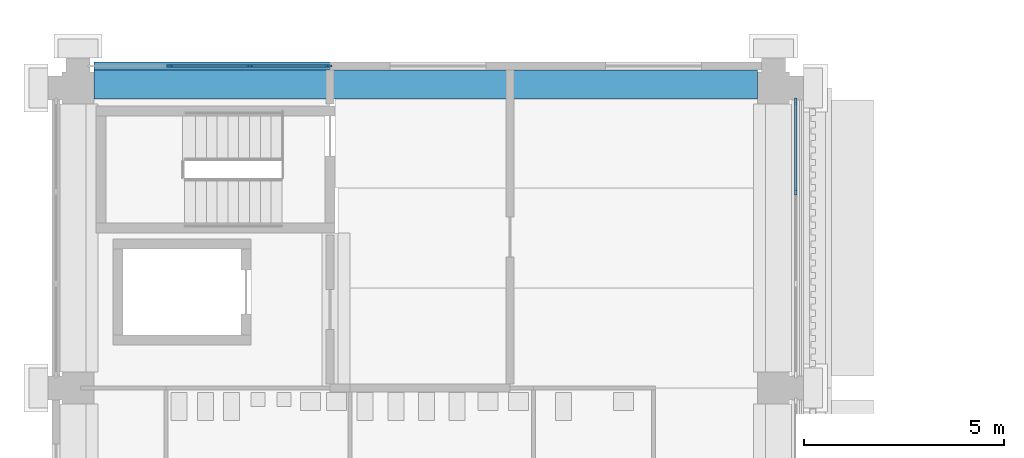
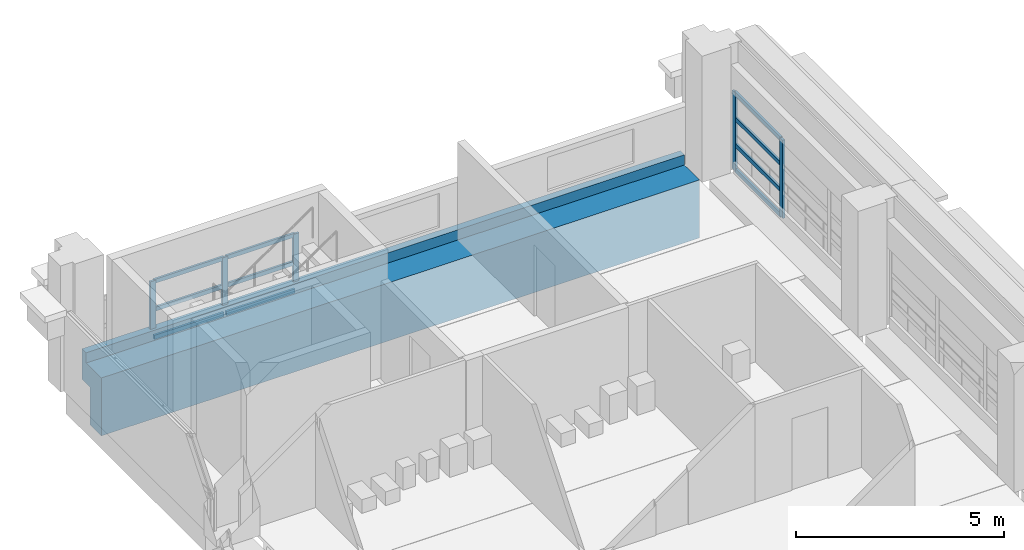
# One storey, part 13 of 71: 15 members, 1 beam, 2 elements without a shape of their own.
"""IFC4 building model written with IfcOpenShell, lengths in metres."""

from ifc_helpers import new_model, si_unit, direction, frame, origin, origin_2d, place, context, subcontext, project, spatial, polyline, rectangle, outline, extrude, material, layer, layer_set, material_profile, profile_set, type_object, element, aggregate, save


model = new_model("IFC4")

# Units and contexts
model_context = context("Model", 3, precision=1e-05, world=origin(), true_north=direction((0.0, 1.0)))
body_context = subcontext(model_context, "Body", "Model", "MODEL_VIEW")
ifc_project = project(units=[si_unit("LENGTHUNIT", "METRE"), si_unit("AREAUNIT", "SQUARE_METRE"), si_unit("VOLUMEUNIT", "CUBIC_METRE"), si_unit("PLANEANGLEUNIT", "RADIAN"), si_unit("MASSUNIT", "GRAM", prefix="KILO")], contexts=[model_context])

# Site, building, storey
site_placement = place(None, origin())
site = spatial("IfcSite", under=ifc_project, at=site_placement, CompositionType="ELEMENT")
building_placement = place(site_placement, origin())
building = spatial("IfcBuilding", under=site, at=building_placement, Name="Cour d'Honneur Mobility Palace", CompositionType="ELEMENT")
storey_placement = place(building_placement, frame((0.0, 0.0, 15.60009765625)))
storey = spatial("IfcBuildingStorey", under=building, at=storey_placement, Name="L04", CompositionType="ELEMENT", Elevation=15.60009765625)

# Curtain wall, members
ifc_material_1 = material(Name="Aluminium and glass", Category="aluminium")
ifc_layer = layer(ifc_material_1, 0.10009765625)
ifc_layer_set = layer_set([ifc_layer], Name="Aluminium and glass")
curtain_wall_type = type_object("IfcCurtainWallType", Name="Curtain wall run", PredefinedType="NOTDEFINED", material=ifc_layer_set)
curtain_wall_1_placement = place(storey_placement, origin())
curtain_wall_1 = element("IfcCurtainWall", 1, at=curtain_wall_1_placement, inside=storey, type_object=curtain_wall_type, Name="Curtain wall CW-43", PredefinedType="NOTDEFINED")
ifc_material_2 = material(Name="Aluminium", Category="aluminium")
ifc_material_profile_1 = material_profile(ifc_material_2, rectangle(XDim=0.06005859375, YDim=0.159912109375, at=origin_2d()), Name="Curtain wall mullion")
ifc_profile_set_1 = profile_set([ifc_material_profile_1], Name="Aluminium")
member_type_1 = type_object("IfcMemberType", Name="Curtain wall mullion", PredefinedType="MULLION", material=ifc_profile_set_1)
member_1_placement = place(storey_placement, frame((17.949951171875, 112.300048828125, 0.0), z_axis=(0.0, 0.0, 1.0), x_axis=(-1.0, 0.0, 0.0)))
member_1 = element("IfcMember", 2, at=member_1_placement, type_object=member_type_1, Name="CW-43 mullion 3", PredefinedType="MULLION", context=body_context, shape_type="SweptSolid", body=[
    extrude(rectangle(XDim=0.06005859375, YDim=0.159912109375, at=origin_2d()), origin(), (0.0, 0.0, 1.0), 2.2998046875),
])
member_2_placement = place(storey_placement, frame((17.949951171875, 114.570068359375, 0.0), z_axis=(0.0, 0.0, 1.0), x_axis=(-1.0, 0.0, 0.0)))
member_2 = element("IfcMember", 3, at=member_2_placement, type_object=member_type_1, Name="CW-43 mullion 4", PredefinedType="MULLION", context=body_context, shape_type="SweptSolid", body=[
    extrude(rectangle(XDim=0.06005859375, YDim=0.159912109375, at=origin_2d()), origin(), (0.0, 0.0, 1.0), 2.2998046875),
])

curtain_wall_2_placement = place(storey_placement, origin())
curtain_wall_2 = element("IfcCurtainWall", 4, at=curtain_wall_2_placement, inside=storey, type_object=curtain_wall_type, Name="Curtain wall CW-130", PredefinedType="NOTDEFINED")
member_3_placement = place(storey_placement, frame((6.27001953125, 115.449951171875, 0.0), z_axis=(0.0, 0.0, 1.0), x_axis=(0.0, -1.0, 0.0)))
member_3 = element("IfcMember", 5, at=member_3_placement, type_object=member_type_1, Name="CW-130 mullion 1", PredefinedType="MULLION", context=body_context, shape_type="SweptSolid", body=[
    extrude(rectangle(XDim=0.06005859375, YDim=0.159912109375, at=origin_2d()), origin(), (0.0, 0.0, 1.0), 1.699951171875),
])
member_4_placement = place(storey_placement, frame((4.300048828125, 115.449951171875, 0.0), z_axis=(0.0, 0.0, 1.0), x_axis=(0.0, -1.0, 0.0)))
member_4 = element("IfcMember", 6, at=member_4_placement, type_object=member_type_1, Name="CW-130 mullion 2", PredefinedType="MULLION", context=body_context, shape_type="SweptSolid", body=[
    extrude(rectangle(XDim=0.06005859375, YDim=0.159912109375, at=origin_2d()), origin(), (0.0, 0.0, 1.0), 1.699951171875),
])
member_5_placement = place(storey_placement, frame((2.300048828125, 115.449951171875, 0.0), z_axis=(0.0, 0.0, 1.0), x_axis=(0.0, -1.0, 0.0)))
member_5 = element("IfcMember", 7, at=member_5_placement, type_object=member_type_1, Name="CW-130 mullion 3", PredefinedType="MULLION", context=body_context, shape_type="SweptSolid", body=[
    extrude(rectangle(XDim=0.06005859375, YDim=0.159912109375, at=origin_2d()), origin(), (0.0, 0.0, 1.0), 1.699951171875),
])

# Member
ifc_material_3 = material(Name="Aluminium", Category="aluminium")
ifc_material_profile_2 = material_profile(ifc_material_3, rectangle(XDim=0.06005859375, YDim=0.1201171875, at=origin_2d()), Name="Curtain wall transom")
ifc_profile_set_2 = profile_set([ifc_material_profile_2], Name="Aluminium")
member_type_2 = type_object("IfcMemberType", Name="Curtain wall transom", PredefinedType="USERDEFINED", material=ifc_profile_set_2)
member_6_placement = place(storey_placement, frame((17.949951171875, 112.330078125, 0.02978515625), z_axis=(0.0, 1.0, 0.0), x_axis=(-1.0, 0.0, 0.0)))
member_6 = element("IfcMember", 8, at=member_6_placement, type_object=member_type_2, Name="CW-43 transom 3.1", ObjectType="TRANSOM", PredefinedType="USERDEFINED", context=body_context, shape_type="SweptSolid", body=[
    extrude(rectangle(XDim=0.06005859375, YDim=0.1201171875, at=origin_2d()), origin(), (0.0, 0.0, 1.0), 2.2099609375),
])

member_7_placement = place(storey_placement, frame((17.949951171875, 112.330078125, 0.7666015625), z_axis=(0.0, 1.0, 0.0), x_axis=(-1.0, 0.0, 0.0)))
member_7 = element("IfcMember", 9, at=member_7_placement, type_object=member_type_2, Name="CW-43 transom 3.2", ObjectType="TRANSOM", PredefinedType="USERDEFINED", context=body_context, shape_type="SweptSolid", body=[
    extrude(rectangle(XDim=0.06005859375, YDim=0.1201171875, at=origin_2d()), origin(), (0.0, 0.0, 1.0), 2.2099609375),
])

member_8_placement = place(storey_placement, frame((17.949951171875, 112.330078125, 1.533203125), z_axis=(0.0, 1.0, 0.0), x_axis=(-1.0, 0.0, 0.0)))
member_8 = element("IfcMember", 10, at=member_8_placement, type_object=member_type_2, Name="CW-43 transom 3.3", ObjectType="TRANSOM", PredefinedType="USERDEFINED", context=body_context, shape_type="SweptSolid", body=[
    extrude(rectangle(XDim=0.06005859375, YDim=0.1201171875, at=origin_2d()), origin(), (0.0, 0.0, 1.0), 2.2099609375),
])

member_9_placement = place(storey_placement, frame((17.949951171875, 112.330078125, 2.27001953125), z_axis=(0.0, 1.0, 0.0), x_axis=(-1.0, 0.0, 0.0)))
member_9 = element("IfcMember", 11, at=member_9_placement, type_object=member_type_2, Name="CW-43 transom 3.4", ObjectType="TRANSOM", PredefinedType="USERDEFINED", context=body_context, shape_type="SweptSolid", body=[
    extrude(rectangle(XDim=0.06005859375, YDim=0.1201171875, at=origin_2d()), origin(), (0.0, 0.0, 1.0), 2.2099609375),
])

aggregate(curtain_wall_1, [member_1, member_2, member_6, member_7, member_8, member_9])

member_10_placement = place(storey_placement, frame((6.239990234375, 115.449951171875, 0.02978515625), z_axis=(-1.0, 0.0, 0.0), x_axis=(0.0, -1.0, 0.0)))
member_10 = element("IfcMember", 12, at=member_10_placement, type_object=member_type_2, Name="CW-130 transom 1.1", ObjectType="TRANSOM", PredefinedType="USERDEFINED", context=body_context, shape_type="SweptSolid", body=[
    extrude(rectangle(XDim=0.06005859375, YDim=0.1201171875, at=origin_2d()), origin(), (0.0, 0.0, 1.0), 1.909912109375),
])

member_11_placement = place(storey_placement, frame((6.239990234375, 115.449951171875, 0.849853515625), z_axis=(-1.0, 0.0, 0.0), x_axis=(0.0, -1.0, 0.0)))
member_11 = element("IfcMember", 13, at=member_11_placement, type_object=member_type_2, Name="CW-130 transom 1.2", ObjectType="TRANSOM", PredefinedType="USERDEFINED", context=body_context, shape_type="SweptSolid", body=[
    extrude(rectangle(XDim=0.06005859375, YDim=0.1201171875, at=origin_2d()), origin(), (0.0, 0.0, 1.0), 1.909912109375),
])

member_12_placement = place(storey_placement, frame((6.239990234375, 115.449951171875, 1.669921875), z_axis=(-1.0, 0.0, 0.0), x_axis=(0.0, -1.0, 0.0)))
member_12 = element("IfcMember", 14, at=member_12_placement, type_object=member_type_2, Name="CW-130 transom 1.3", ObjectType="TRANSOM", PredefinedType="USERDEFINED", context=body_context, shape_type="SweptSolid", body=[
    extrude(rectangle(XDim=0.06005859375, YDim=0.1201171875, at=origin_2d()), origin(), (0.0, 0.0, 1.0), 1.909912109375),
])

member_13_placement = place(storey_placement, frame((4.27001953125, 115.449951171875, 0.02978515625), z_axis=(-1.0, 0.0, 0.0), x_axis=(0.0, -1.0, 0.0)))
member_13 = element("IfcMember", 15, at=member_13_placement, type_object=member_type_2, Name="CW-130 transom 2.1", ObjectType="TRANSOM", PredefinedType="USERDEFINED", context=body_context, shape_type="SweptSolid", body=[
    extrude(rectangle(XDim=0.06005859375, YDim=0.1201171875, at=origin_2d()), origin(), (0.0, 0.0, 1.0), 1.93994140625),
])

member_14_placement = place(storey_placement, frame((4.27001953125, 115.449951171875, 0.849853515625), z_axis=(-1.0, 0.0, 0.0), x_axis=(0.0, -1.0, 0.0)))
member_14 = element("IfcMember", 16, at=member_14_placement, type_object=member_type_2, Name="CW-130 transom 2.2", ObjectType="TRANSOM", PredefinedType="USERDEFINED", context=body_context, shape_type="SweptSolid", body=[
    extrude(rectangle(XDim=0.06005859375, YDim=0.1201171875, at=origin_2d()), origin(), (0.0, 0.0, 1.0), 1.93994140625),
])

member_15_placement = place(storey_placement, frame((4.27001953125, 115.449951171875, 1.669921875), z_axis=(-1.0, 0.0, 0.0), x_axis=(0.0, -1.0, 0.0)))
member_15 = element("IfcMember", 17, at=member_15_placement, type_object=member_type_2, Name="CW-130 transom 2.3", ObjectType="TRANSOM", PredefinedType="USERDEFINED", context=body_context, shape_type="SweptSolid", body=[
    extrude(rectangle(XDim=0.06005859375, YDim=0.1201171875, at=origin_2d()), origin(), (0.0, 0.0, 1.0), 1.93994140625),
])

aggregate(curtain_wall_2, [member_3, member_4, member_5, member_10, member_11, member_12, member_13, member_14, member_15])

# Beam
ifc_material_4 = material(Name="Concrete C45", Category="concrete")
ifc_material_profile_3 = material_profile(ifc_material_4, outline(polyline([(0.27490234375, -1.699951171875), (0.27490234375, -0.60009765625), (0.64990234375, -0.60009765625), (0.64990234375, 0.300048828125), (0.449951171875, 0.300048828125), (0.449951171875, 0.0), (0.27490234375, 0.0), (-0.27490234375, 0.0), (-0.27490234375, -1.699951171875), (0.27490234375, -1.699951171875)])), Name="Edge Spandrel Beam 550x1700 no ledge facade left")
ifc_profile_set_3 = profile_set([ifc_material_profile_3], Name="Concrete C45")
beam_type = type_object("IfcBeamType", Name="Edge Spandrel Beam 550x1700 no ledge facade left", PredefinedType="SPANDREL", material=ifc_profile_set_3)
beam_placement = place(storey_placement, frame((0.39990234375, 114.89990234375, 0.0), z_axis=(1.0, 0.0, 0.0), x_axis=(0.0, 1.0, 0.0)))
element("IfcBeam", 18, at=beam_placement, inside=storey, type_object=beam_type, Name="Precast beam B7 1-2 L04", PredefinedType="SPANDREL", context=body_context, shape_type="SweptSolid", body=[
    extrude(outline(polyline([(0.27490234375, -1.699951171875), (0.27490234375, -0.60009765625), (0.64990234375, -0.60009765625), (0.64990234375, 0.300048828125), (0.449951171875, 0.300048828125), (0.449951171875, 0.0), (0.27490234375, 0.0), (-0.27490234375, 0.0), (-0.27490234375, -1.699951171875), (0.27490234375, -1.699951171875)])), origin(), (0.0, 0.0, 1.0), 16.60009765625),
])

save(model, "model.ifc")
